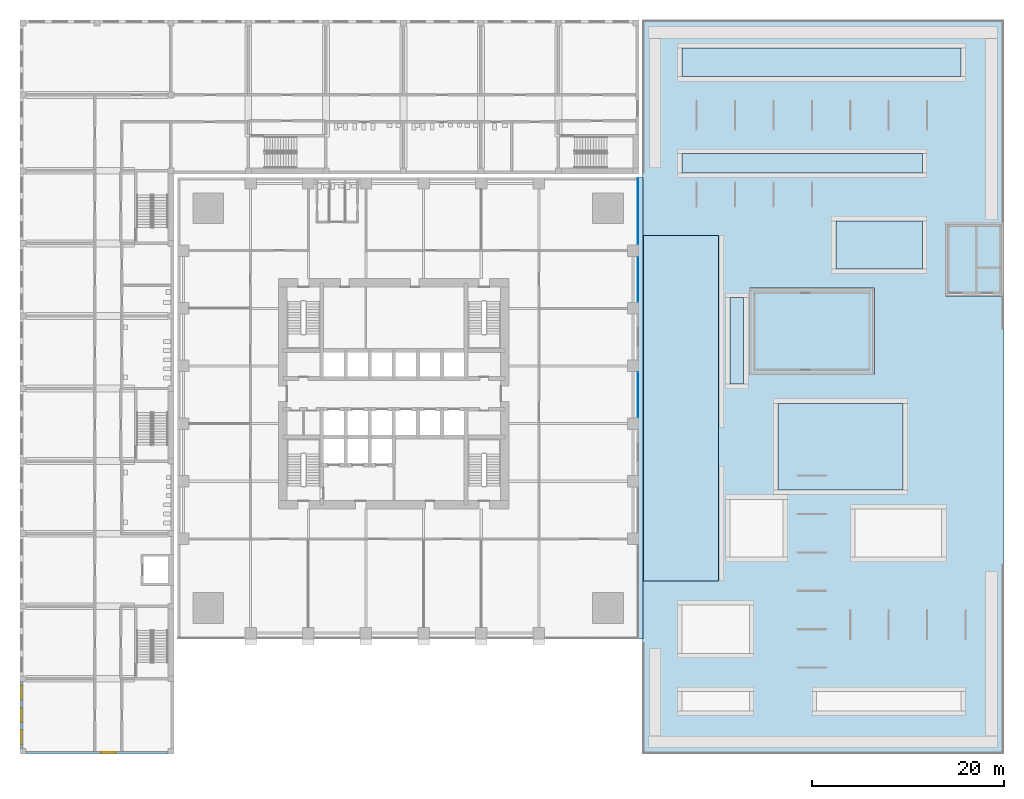
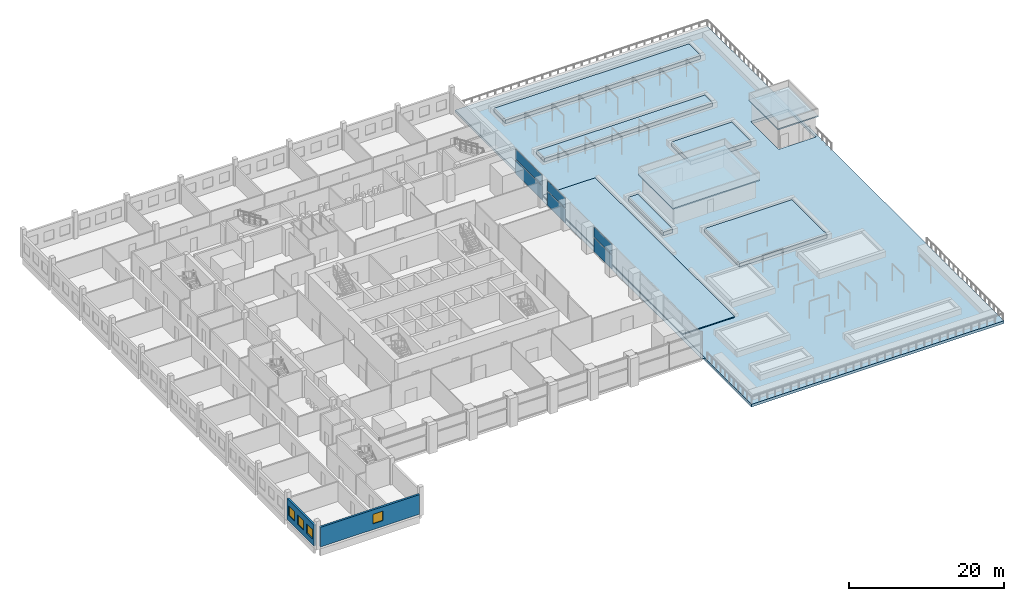
# One storey, part 17 of 34: 9 slabs, 7 plates, 4 windows, 2 walls, 4 openings, 3 elements without a shape of their own.
"""IFC4 building model written with IfcOpenShell, lengths in metres."""

from ifc_helpers import new_model, si_unit, direction, frame, frame_2d, origin, origin_2d, place, context, subcontext, project, spatial, polyline, rectangle, outline, extrude, material, layer, layer_set, type_object, element, fill, aggregate, save


model = new_model("IFC4")

# Units and contexts
model_context = context("Model", 3, precision=1e-05, world=origin(), true_north=direction((0.0, 1.0)))
body_context = subcontext(model_context, "Body", "Model", "MODEL_VIEW")
ifc_project = project(units=[si_unit("LENGTHUNIT", "METRE"), si_unit("AREAUNIT", "SQUARE_METRE"), si_unit("VOLUMEUNIT", "CUBIC_METRE"), si_unit("PLANEANGLEUNIT", "RADIAN"), si_unit("MASSUNIT", "GRAM", prefix="KILO")], contexts=[model_context])

# Site, building, storey
site_placement = place(None, origin())
site = spatial("IfcSite", under=ifc_project, at=site_placement, CompositionType="ELEMENT")
building_placement = place(site_placement, origin())
building = spatial("IfcBuilding", under=site, at=building_placement, Name="Amberfall Residences", CompositionType="ELEMENT")
storey_placement = place(building_placement, frame((0.0, 0.0, 5.5)))
storey = spatial("IfcBuildingStorey", under=building, at=storey_placement, Name="L01", CompositionType="ELEMENT", Elevation=5.5)

# Curtain wall, plates
ifc_material_1 = material(Name="Bronze anodised aluminium and glass", Category="aluminium")
curtain_wall_type = type_object("IfcCurtainWallType", Name="Curtain wall CW4 podium storefront", PredefinedType="USERDEFINED", material=ifc_material_1)
curtain_wall_1_placement = place(storey_placement, origin())
curtain_wall_1 = element("IfcCurtainWall", 1, at=curtain_wall_1_placement, inside=storey, type_object=curtain_wall_type, Name="Storefront L01 E4", ObjectType="UNITISED CURTAIN WALL", PredefinedType="USERDEFINED")
ifc_material_2 = material(Name="Clear toughened glazing", Category="glass")
ifc_layer_1 = layer(ifc_material_2, 0.028076171875)
ifc_layer_set_1 = layer_set([ifc_layer_1], Name="CW4 panel 28 glazing")
plate_type_1 = type_object("IfcPlateType", Name="CW4 panel 28 glazing", PredefinedType="CURTAIN_PANEL", material=ifc_layer_set_1)
plate_1_placement = place(storey_placement, frame((99.89990234375, 45.39990234375, 0.14990234375), z_axis=(0.0, 0.0, 1.0), x_axis=(0.0, 1.0, 0.0)))
plate_1 = element("IfcPlate", 2, at=plate_1_placement, type_object=plate_type_1, Name="CW4 panel 1.1", PredefinedType="CURTAIN_PANEL", context=body_context, shape_type="SweptSolid", body=[
    extrude(rectangle(XDim=4.659912109375, YDim=0.028076171875, at=origin_2d()), origin(), (0.0, 0.0, 1.0), 2.175048828125),
])
plate_2_placement = place(storey_placement, frame((99.89990234375, 45.39990234375, 2.47509765625), z_axis=(0.0, 0.0, 1.0), x_axis=(0.0, 1.0, 0.0)))
plate_2 = element("IfcPlate", 3, at=plate_2_placement, type_object=plate_type_1, Name="CW4 panel 1.2", PredefinedType="CURTAIN_PANEL", context=body_context, shape_type="SweptSolid", body=[
    extrude(rectangle(XDim=4.659912109375, YDim=0.028076171875, at=origin_2d()), origin(), (0.0, 0.0, 1.0), 1.574951171875),
])
aggregate(curtain_wall_1, [plate_1, plate_2])

curtain_wall_2_placement = place(storey_placement, origin())
curtain_wall_2 = element("IfcCurtainWall", 4, at=curtain_wall_2_placement, inside=storey, type_object=curtain_wall_type, Name="Storefront L01 E6", ObjectType="UNITISED CURTAIN WALL", PredefinedType="USERDEFINED")
plate_3_placement = place(storey_placement, frame((99.89990234375, 57.39990234375, 0.14990234375), z_axis=(0.0, 0.0, 1.0), x_axis=(0.0, 1.0, 0.0)))
plate_3 = element("IfcPlate", 5, at=plate_3_placement, type_object=plate_type_1, Name="CW4 panel 1.1", PredefinedType="CURTAIN_PANEL", context=body_context, shape_type="SweptSolid", body=[
    extrude(rectangle(XDim=4.659912109375, YDim=0.028076171875, at=origin_2d()), origin(), (0.0, 0.0, 1.0), 2.175048828125),
])
plate_4_placement = place(storey_placement, frame((99.89990234375, 57.39990234375, 2.47509765625), z_axis=(0.0, 0.0, 1.0), x_axis=(0.0, 1.0, 0.0)))
plate_4 = element("IfcPlate", 6, at=plate_4_placement, type_object=plate_type_1, Name="CW4 panel 1.2", PredefinedType="CURTAIN_PANEL", context=body_context, shape_type="SweptSolid", body=[
    extrude(rectangle(XDim=4.659912109375, YDim=0.028076171875, at=origin_2d()), origin(), (0.0, 0.0, 1.0), 1.574951171875),
])
aggregate(curtain_wall_2, [plate_3, plate_4])

curtain_wall_3_placement = place(storey_placement, origin())
curtain_wall_3 = element("IfcCurtainWall", 7, at=curtain_wall_3_placement, inside=storey, type_object=curtain_wall_type, Name="Storefront L01 E7", ObjectType="UNITISED CURTAIN WALL", PredefinedType="USERDEFINED")
plate_5_placement = place(storey_placement, frame((99.89990234375, 64.5, 0.14990234375), z_axis=(0.0, 0.0, 1.0), x_axis=(0.0, 1.0, 0.0)))
plate_5 = element("IfcPlate", 8, at=plate_5_placement, type_object=plate_type_1, Name="CW4 panel 1.1", PredefinedType="CURTAIN_PANEL", context=body_context, shape_type="SweptSolid", body=[
    extrude(rectangle(XDim=6.860107421875, YDim=0.028076171875, at=origin_2d()), origin(), (0.0, 0.0, 1.0), 2.175048828125),
])
plate_6_placement = place(storey_placement, frame((99.89990234375, 64.5, 2.47509765625), z_axis=(0.0, 0.0, 1.0), x_axis=(0.0, 1.0, 0.0)))
plate_6 = element("IfcPlate", 9, at=plate_6_placement, type_object=plate_type_1, Name="CW4 panel 1.2", PredefinedType="CURTAIN_PANEL", context=body_context, shape_type="SweptSolid", body=[
    extrude(rectangle(XDim=6.860107421875, YDim=0.028076171875, at=origin_2d()), origin(), (0.0, 0.0, 1.0), 1.574951171875),
])
aggregate(curtain_wall_3, [plate_5, plate_6])

# Slab
ifc_material_3 = material(Name="Reinforced concrete C50", Category="concrete")
ifc_layer_2 = layer(ifc_material_3, 0.419921875)
ifc_layer_set_2 = layer_set([ifc_layer_2], Name="Garden deck slab 420")
slab_type_1 = type_object("IfcSlabType", Name="Garden deck slab 420", PredefinedType="FLOOR", material=ifc_layer_set_2)
slab_1_placement = place(storey_placement, frame((0.0, 0.0, -0.419921875)))
element("IfcSlab", 10, at=slab_1_placement, inside=storey, type_object=slab_type_1, Name="Garden deck", PredefinedType="FLOOR", context=body_context, shape_type="SweptSolid", body=[
    extrude(outline(polyline([(100.39990234375, 8.0), (138.0, 8.0), (138.0, 84.39990234375), (100.39990234375, 84.39990234375), (100.39990234375, 8.0)]), holes=[polyline([(132.10009765625, 55.89990234375), (137.699951171875, 55.89990234375), (137.699951171875, 63.10009765625), (132.10009765625, 63.10009765625), (132.10009765625, 55.89990234375)])]), origin(), (0.0, 0.0, 1.0), 0.419921875),
])

# Plate
ifc_material_4 = material(Name="Stainless steel", Category="steel")
ifc_layer_3 = layer(ifc_material_4, 0.014892578125)
ifc_layer_set_3 = layer_set([ifc_layer_3], Name="Joint cover plate 500")
plate_type_2 = type_object("IfcPlateType", Name="Joint cover plate 500", PredefinedType="SHEET", material=ifc_layer_set_3)
plate_7_placement = place(storey_placement, frame((100.199951171875, 44.0, 0.0), z_axis=(0.0, 0.0, 1.0), x_axis=(1.0, 0.0, 0.0)))
element("IfcPlate", 11, at=plate_7_placement, inside=storey, type_object=plate_type_2, Name="Movement joint cover plate", PredefinedType="SHEET", context=body_context, shape_type="SweptSolid", body=[
    extrude(rectangle(XDim=0.5, YDim=48.0, at=origin_2d()), origin(), (0.0, 0.0, 1.0), 0.014892578125),
])

# Slabs
ifc_material_5 = material(Name="Reinforced concrete C40", Category="concrete")
ifc_layer_4 = layer(ifc_material_5, 0.199951171875)
ifc_layer_set_4 = layer_set([ifc_layer_4], Name="Pavilion roof 200")
slab_type_2 = type_object("IfcSlabType", Name="Pavilion roof 200", PredefinedType="ROOF", material=ifc_layer_set_4)
slab_2_placement = place(storey_placement, frame((0.0, 0.0, 2.800048828125)))
element("IfcSlab", 12, at=slab_2_placement, inside=storey, type_object=slab_type_2, Name="Pavilion roof", PredefinedType="ROOF", context=body_context, shape_type="SweptSolid", body=[
    extrude(outline(polyline([(111.5, 47.5), (124.5, 47.5), (124.5, 56.5), (111.5, 56.5), (111.5, 47.5)])), origin(), (0.0, 0.0, 1.0), 0.199951171875),
])
slab_3_placement = place(storey_placement, frame((0.0, 0.0, 3.199951171875)))
element("IfcSlab", 13, at=slab_3_placement, inside=storey, type_object=slab_type_2, Name="Stair and lift head roof", PredefinedType="ROOF", context=body_context, shape_type="SweptSolid", body=[
    extrude(outline(polyline([(131.89990234375, 55.699951171875), (137.89990234375, 55.699951171875), (137.89990234375, 63.300048828125), (131.89990234375, 63.300048828125), (131.89990234375, 55.699951171875)])), origin(), (0.0, 0.0, 1.0), 0.199951171875),
])
ifc_material_6 = material(Name="Granite paving on screed", Category="masonry")
ifc_layer_5 = layer(ifc_material_6, 0.14990234375)
ifc_layer_set_5 = layer_set([ifc_layer_5], Name="Paving 150")
slab_type_3 = type_object("IfcSlabType", Name="Paving 150", PredefinedType="NOTDEFINED", material=ifc_layer_set_5)
slab_4_placement = place(storey_placement, origin())
element("IfcSlab", 14, at=slab_4_placement, inside=storey, type_object=slab_type_3, Name="Arrival terrace paving", PredefinedType="NOTDEFINED", context=body_context, shape_type="SweptSolid", body=[
    extrude(outline(polyline([(100.5, 26.0), (108.300048828125, 26.0), (108.300048828125, 62.0), (100.5, 62.0), (100.5, 26.0)])), origin(), (0.0, 0.0, 1.0), 0.14990234375),
])
ifc_material_7 = material(Name="Reinforced concrete C35 planter with soil", Category="concrete")
ifc_layer_6 = layer(ifc_material_7, 0.60009765625)
ifc_layer_set_6 = layer_set([ifc_layer_6], Name="Planter bed 600")
slab_type_4 = type_object("IfcSlabType", Name="Planter bed 600", PredefinedType="NOTDEFINED", material=ifc_layer_set_6)
slab_5_placement = place(storey_placement, origin())
element("IfcSlab", 15, at=slab_5_placement, inside=storey, type_object=slab_type_4, Name="Planter 6", PredefinedType="NOTDEFINED", context=body_context, shape_type="SweptSolid", body=[
    extrude(outline(polyline([(120.5, 58.5), (129.5, 58.5), (129.5, 63.5), (120.5, 63.5), (120.5, 58.5)])), origin(), (0.0, 0.0, 1.0), 0.60009765625),
])
slab_6_placement = place(storey_placement, origin())
element("IfcSlab", 16, at=slab_6_placement, inside=storey, type_object=slab_type_4, Name="Planter 7", PredefinedType="NOTDEFINED", context=body_context, shape_type="SweptSolid", body=[
    extrude(outline(polyline([(104.5, 68.5), (129.5, 68.5), (129.5, 70.5), (104.5, 70.5), (104.5, 68.5)])), origin(), (0.0, 0.0, 1.0), 0.60009765625),
])
slab_7_placement = place(storey_placement, origin())
element("IfcSlab", 17, at=slab_7_placement, inside=storey, type_object=slab_type_4, Name="Planter 8", PredefinedType="NOTDEFINED", context=body_context, shape_type="SweptSolid", body=[
    extrude(outline(polyline([(104.5, 78.5), (133.5, 78.5), (133.5, 81.5), (104.5, 81.5), (104.5, 78.5)])), origin(), (0.0, 0.0, 1.0), 0.60009765625),
])
slab_8_placement = place(storey_placement, origin())
element("IfcSlab", 18, at=slab_8_placement, inside=storey, type_object=slab_type_4, Name="Planter 9", PredefinedType="NOTDEFINED", context=body_context, shape_type="SweptSolid", body=[
    extrude(outline(polyline([(109.5, 46.5), (110.89990234375, 46.5), (110.89990234375, 55.5), (109.5, 55.5), (109.5, 46.5)])), origin(), (0.0, 0.0, 1.0), 0.60009765625),
])
slab_9_placement = place(storey_placement, origin())
element("IfcSlab", 19, at=slab_9_placement, inside=storey, type_object=slab_type_4, Name="Water garden pool", PredefinedType="NOTDEFINED", context=body_context, shape_type="SweptSolid", body=[
    extrude(outline(polyline([(114.5, 35.5), (127.5, 35.5), (127.5, 44.5), (114.5, 44.5), (114.5, 35.5)])), origin(), (0.0, 0.0, 1.0), 0.60009765625),
])

# Wall, openings, windows
ifc_material_8 = material(Name="Aerated block wall")
ifc_layer_7 = layer(ifc_material_8, 0.300048828125)
ifc_layer_set_7 = layer_set([ifc_layer_7], Name="School external wall 300")
wall_type = type_object("IfcWallType", Name="School external wall 300", PredefinedType="SOLIDWALL", material=ifc_layer_set_7)
wall_1_placement = place(storey_placement, frame((35.75, 8.60009765625, 0.0), z_axis=(0.0, 0.0, 1.0), x_axis=(0.0, 1.0, 0.0)))
wall_1 = element("IfcWall", 20, at=wall_1_placement, inside=storey, type_object=wall_type, Name="School external wall L01 EW0", PredefinedType="SOLIDWALL", context=body_context, shape_type="SweptSolid", body=[
    extrude(rectangle(XDim=6.949951171875, YDim=0.300048828125, at=frame_2d((3.47509765625, 0.0))), origin(), (0.0, 0.0, 1.0), 3.300048828125),
])
opening_1_placement = place(wall_1_placement, frame((0.408203125, 0.0, 0.89990234375)))
opening_1 = element("IfcOpeningElement", 21, at=opening_1_placement, cuts=wall_1, Name="Opening SWN1", PredefinedType="OPENING", context=body_context, shape_type="SweptSolid", body=[
    extrude(rectangle(XDim=1.5, YDim=1.5, at=frame_2d((0.75, 0.75))), frame((0.0, 0.159912109375, 0.0), z_axis=(0.0, -1.0, 0.0), x_axis=(1.0, 0.0, 0.0)), (0.0, 0.0, 1.0), 0.320068359375),
])
opening_2_placement = place(wall_1_placement, frame((2.72509765625, 0.0, 0.89990234375)))
opening_2 = element("IfcOpeningElement", 22, at=opening_2_placement, cuts=wall_1, Name="Opening SWN1", PredefinedType="OPENING", context=body_context, shape_type="SweptSolid", body=[
    extrude(rectangle(XDim=1.5, YDim=1.5, at=frame_2d((0.75, 0.75))), frame((0.0, 0.159912109375, 0.0), z_axis=(0.0, -1.0, 0.0), x_axis=(1.0, 0.0, 0.0)), (0.0, 0.0, 1.0), 0.320068359375),
])
opening_3_placement = place(wall_1_placement, frame((5.041748046875, 0.0, 0.89990234375)))
opening_3 = element("IfcOpeningElement", 23, at=opening_3_placement, cuts=wall_1, Name="Opening SWN1", PredefinedType="OPENING", context=body_context, shape_type="SweptSolid", body=[
    extrude(rectangle(XDim=1.5, YDim=1.5, at=frame_2d((0.75, 0.75))), frame((0.0, 0.159912109375, 0.0), z_axis=(0.0, -1.0, 0.0), x_axis=(1.0, 0.0, 0.0)), (0.0, 0.0, 1.0), 0.320068359375),
])
ifc_material_9 = material(Name="Aluminium window", Category="aluminium")
window_type = type_object("IfcWindowType", Name="School window 1500 x 1500", PartitioningType="DOUBLE_PANEL_HORIZONTAL", PredefinedType="WINDOW", material=ifc_material_9)
window_1_placement = place(opening_1_placement, origin())
window_1 = element("IfcWindow", 24, at=window_1_placement, inside=storey, type_object=window_type, Name="School window L01 EW0-1", OverallHeight=1.5, OverallWidth=1.5, PartitioningType="DOUBLE_PANEL_HORIZONTAL", PredefinedType="WINDOW", context=body_context, shape_type="SweptSolid", body=[
    extrude(rectangle(XDim=1.5, YDim=1.5, at=frame_2d((0.75, 0.75))), frame((0.0, 0.030029296875, 0.0), z_axis=(0.0, -1.0, 0.0), x_axis=(1.0, 0.0, 0.0)), (0.0, 0.0, 1.0), 0.06005859375),
])
fill(opening_1, window_1)
window_2_placement = place(opening_2_placement, origin())
window_2 = element("IfcWindow", 25, at=window_2_placement, inside=storey, type_object=window_type, Name="School window L01 EW0-2", OverallHeight=1.5, OverallWidth=1.5, PartitioningType="DOUBLE_PANEL_HORIZONTAL", PredefinedType="WINDOW", context=body_context, shape_type="SweptSolid", body=[
    extrude(rectangle(XDim=1.5, YDim=1.5, at=frame_2d((0.75, 0.75))), frame((0.0, 0.030029296875, 0.0), z_axis=(0.0, -1.0, 0.0), x_axis=(1.0, 0.0, 0.0)), (0.0, 0.0, 1.0), 0.06005859375),
])
fill(opening_2, window_2)
window_3_placement = place(opening_3_placement, origin())
window_3 = element("IfcWindow", 26, at=window_3_placement, inside=storey, type_object=window_type, Name="School window L01 EW0-3", OverallHeight=1.5, OverallWidth=1.5, PartitioningType="DOUBLE_PANEL_HORIZONTAL", PredefinedType="WINDOW", context=body_context, shape_type="SweptSolid", body=[
    extrude(rectangle(XDim=1.5, YDim=1.5, at=frame_2d((0.75, 0.75))), frame((0.0, 0.030029296875, 0.0), z_axis=(0.0, -1.0, 0.0), x_axis=(1.0, 0.0, 0.0)), (0.0, 0.0, 1.0), 0.06005859375),
])
fill(opening_3, window_3)

# Wall, opening, window
wall_2_placement = place(storey_placement, frame((36.199951171875, 8.14990234375, 0.0), z_axis=(0.0, 0.0, 1.0), x_axis=(1.0, 0.0, 0.0)))
wall_2 = element("IfcWall", 27, at=wall_2_placement, inside=storey, type_object=wall_type, Name="School external wall L01 ES", PredefinedType="SOLIDWALL", context=body_context, shape_type="SweptSolid", body=[
    extrude(rectangle(XDim=14.800048828125, YDim=0.300048828125, at=frame_2d((7.39990234375, 0.0))), origin(), (0.0, 0.0, 1.0), 3.10009765625),
])
opening_4_placement = place(wall_2_placement, frame((7.85009765625, 0.0, 0.89990234375)))
opening_4 = element("IfcOpeningElement", 28, at=opening_4_placement, cuts=wall_2, Name="Opening SWN1", PredefinedType="OPENING", context=body_context, shape_type="SweptSolid", body=[
    extrude(rectangle(XDim=1.5, YDim=1.5, at=frame_2d((0.75, 0.75))), frame((0.0, 0.159912109375, 0.0), z_axis=(0.0, -1.0, 0.0), x_axis=(1.0, 0.0, 0.0)), (0.0, 0.0, 1.0), 0.320068359375),
])
window_4_placement = place(opening_4_placement, origin())
window_4 = element("IfcWindow", 29, at=window_4_placement, inside=storey, type_object=window_type, Name="School window L01 ES-1", OverallHeight=1.5, OverallWidth=1.5, PartitioningType="DOUBLE_PANEL_HORIZONTAL", PredefinedType="WINDOW", context=body_context, shape_type="SweptSolid", body=[
    extrude(rectangle(XDim=1.5, YDim=1.5, at=frame_2d((0.75, 0.75))), frame((0.0, 0.030029296875, 0.0), z_axis=(0.0, -1.0, 0.0), x_axis=(1.0, 0.0, 0.0)), (0.0, 0.0, 1.0), 0.06005859375),
])
fill(opening_4, window_4)

save(model, "model.ifc")
